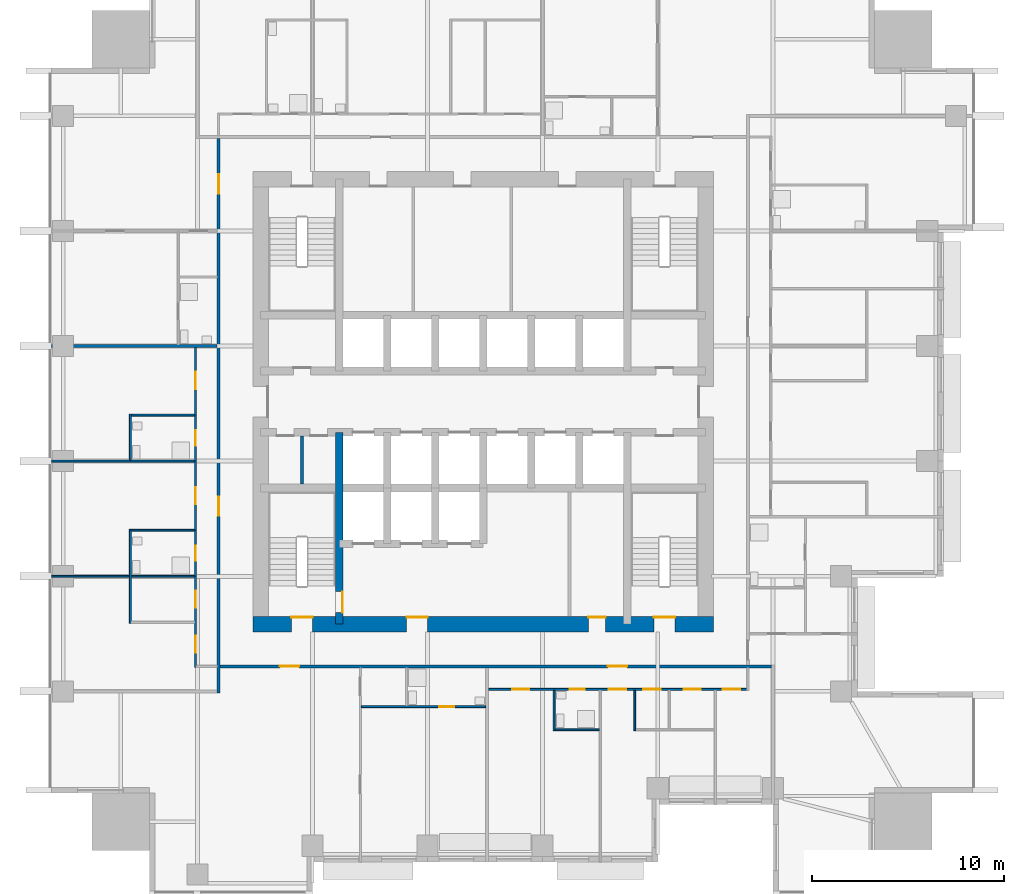
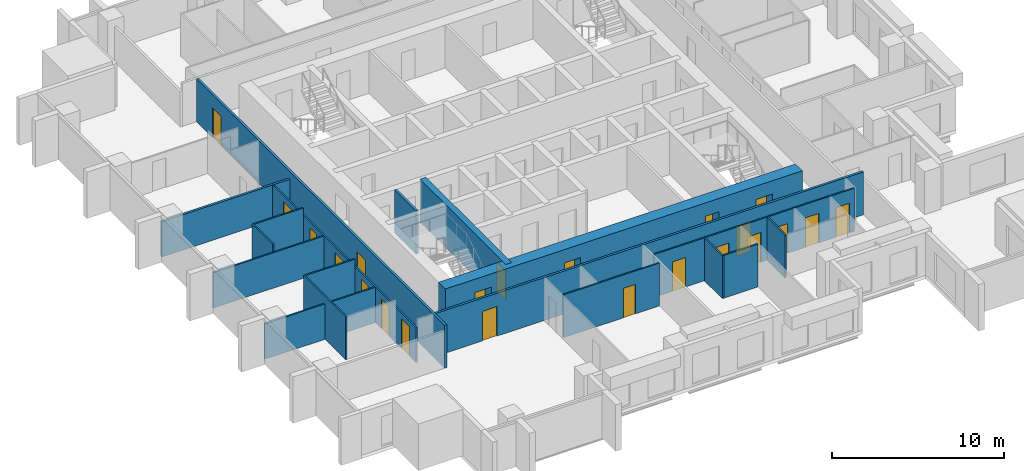
# One storey, part 4 of 10: 22 doors, 18 walls, 22 openings.
"""IFC4 building model written with IfcOpenShell, lengths in metres."""

from ifc_helpers import new_model, si_unit, direction, frame, frame_2d, origin, place, context, subcontext, project, spatial, rectangle, extrude, material, layer, layer_set, type_object, element, fill, save


model = new_model("IFC4")

# Units and contexts
model_context = context("Model", 3, precision=1e-05, world=origin(), true_north=direction((0.0, 1.0)))
body_context = subcontext(model_context, "Body", "Model", "MODEL_VIEW")
ifc_project = project(units=[si_unit("LENGTHUNIT", "METRE"), si_unit("AREAUNIT", "SQUARE_METRE"), si_unit("VOLUMEUNIT", "CUBIC_METRE"), si_unit("PLANEANGLEUNIT", "RADIAN"), si_unit("MASSUNIT", "GRAM", prefix="KILO")], contexts=[model_context])

# Site, building, storey
site_placement = place(None, origin())
site = spatial("IfcSite", under=ifc_project, at=site_placement, CompositionType="ELEMENT")
building_placement = place(site_placement, origin())
building = spatial("IfcBuilding", under=site, at=building_placement, Name="Amberfall Residences", CompositionType="ELEMENT")
storey_placement = place(building_placement, frame((0.0, 0.0, 85.300048828125)))
storey = spatial("IfcBuildingStorey", under=building, at=storey_placement, Name="L22", CompositionType="ELEMENT", Elevation=85.300048828125)

# Wall, opening, door
ifc_material_1 = material(Name="Concrete C70", Category="concrete")
ifc_layer_1 = layer(ifc_material_1, 0.39990234375)
ifc_layer_set_1 = layer_set([ifc_layer_1], Name="Core wall 400 C70")
wall_type_1 = type_object("IfcWallType", Name="Core wall 400 C70", PredefinedType="SHEAR", material=ifc_layer_set_1)
wall_1_placement = place(storey_placement, frame((67.0, 33.89990234375, 0.0), z_axis=(0.0, 0.0, 1.0), x_axis=(0.0, 1.0, 0.0)))
wall_1 = element("IfcWall", 1, at=wall_1_placement, inside=storey, type_object=wall_type_1, Name="Core wall RW4 L22 V45S", PredefinedType="SHEAR", context=body_context, shape_type="SweptSolid", body=[
    extrude(rectangle(XDim=10.0, YDim=0.39990234375, at=frame_2d((5.0, 0.0))), origin(), (0.0, 0.0, 1.0), 3.050048828125),
])
opening_1_placement = place(wall_1_placement, frame((0.60009765625, 0.0, 0.0)))
opening_1 = element("IfcOpeningElement", 2, at=opening_1_placement, cuts=wall_1, Name="Opening FL1", PredefinedType="OPENING", context=body_context, shape_type="SweptSolid", body=[
    extrude(rectangle(XDim=1.10009765625, YDim=2.10009765625, at=frame_2d((0.550048828125, 1.050048828125))), frame((0.0, 0.2099609375, 0.0), z_axis=(0.0, -1.0, 0.0), x_axis=(1.0, 0.0, 0.0)), (0.0, 0.0, 1.0), 0.419921875),
])
ifc_material_2 = material(Name="Steel fire door set", Category="steel")
door_type_1 = type_object("IfcDoorType", Name="Firefighting lobby door 1100 x 2100", OperationType="SINGLE_SWING_LEFT", PredefinedType="DOOR", material=ifc_material_2)
door_1_placement = place(opening_1_placement, origin())
door_1 = element("IfcDoor", 3, at=door_1_placement, inside=storey, type_object=door_type_1, Name="FL1 L22", OperationType="SINGLE_SWING_RIGHT", OverallHeight=2.10009765625, OverallWidth=1.10009765625, PredefinedType="DOOR", context=body_context, shape_type="SweptSolid", body=[
    extrude(rectangle(XDim=1.10009765625, YDim=2.10009765625, at=frame_2d((0.550048828125, 1.050048828125))), frame((0.0, -0.1376953125, 0.0), z_axis=(0.0, -1.0, 0.0), x_axis=(1.0, 0.0, 0.0)), (0.0, 0.0, 1.0), 0.050048828125),
])
fill(opening_1, door_1)

# Wall, openings, doors
ifc_layer_2 = layer(ifc_material_1, 0.800048828125)
ifc_layer_set_2 = layer_set([ifc_layer_2], Name="Core wall 800 C70")
wall_type_2 = type_object("IfcWallType", Name="Core wall 800 C70", PredefinedType="SHEAR", material=ifc_layer_set_2)
wall_2_placement = place(storey_placement, frame((62.5, 33.89990234375, 0.0), z_axis=(0.0, 0.0, 1.0), x_axis=(1.0, 0.0, 0.0)))
wall_2 = element("IfcWall", 4, at=wall_2_placement, inside=storey, type_object=wall_type_2, Name="Core wall RW3 L22 OS", PredefinedType="SHEAR", context=body_context, shape_type="SweptSolid", body=[
    extrude(rectangle(XDim=24.0, YDim=0.800048828125, at=frame_2d((12.0, 0.0))), origin(), (0.0, 0.0, 1.0), 3.050048828125),
])
opening_2_placement = place(wall_2_placement, frame((2.0, 0.0, 0.0)))
opening_2 = element("IfcOpeningElement", 5, at=opening_2_placement, cuts=wall_2, Name="Opening SD1", PredefinedType="OPENING", context=body_context, shape_type="SweptSolid", body=[
    extrude(rectangle(XDim=1.10009765625, YDim=2.10009765625, at=frame_2d((0.550048828125, 1.050048828125))), frame((0.0, 0.409912109375, 0.0), z_axis=(0.0, -1.0, 0.0), x_axis=(1.0, 0.0, 0.0)), (0.0, 0.0, 1.0), 0.820068359375),
])
opening_3_placement = place(wall_2_placement, frame((20.89990234375, 0.0, 0.0)))
opening_3 = element("IfcOpeningElement", 6, at=opening_3_placement, cuts=wall_2, Name="Opening SD1", PredefinedType="OPENING", context=body_context, shape_type="SweptSolid", body=[
    extrude(rectangle(XDim=1.10009765625, YDim=2.10009765625, at=frame_2d((0.550048828125, 1.050048828125))), frame((0.0, 0.409912109375, 0.0), z_axis=(0.0, -1.0, 0.0), x_axis=(1.0, 0.0, 0.0)), (0.0, 0.0, 1.0), 0.820068359375),
])
opening_4_placement = place(wall_2_placement, frame((8.0, 0.0, 0.0)))
opening_4 = element("IfcOpeningElement", 7, at=opening_4_placement, cuts=wall_2, Name="Opening FL1", PredefinedType="OPENING", context=body_context, shape_type="SweptSolid", body=[
    extrude(rectangle(XDim=1.10009765625, YDim=2.10009765625, at=frame_2d((0.550048828125, 1.050048828125))), frame((0.0, 0.409912109375, 0.0), z_axis=(0.0, -1.0, 0.0), x_axis=(1.0, 0.0, 0.0)), (0.0, 0.0, 1.0), 0.820068359375),
])
opening_5_placement = place(wall_2_placement, frame((17.487548828125, 0.0, 0.0)))
opening_5 = element("IfcOpeningElement", 8, at=opening_5_placement, cuts=wall_2, Name="Opening RD1", PredefinedType="OPENING", context=body_context, shape_type="SweptSolid", body=[
    extrude(rectangle(XDim=0.89990234375, YDim=2.10009765625, at=frame_2d((0.449951171875, 1.050048828125))), frame((0.0, 0.409912109375, 0.0), z_axis=(0.0, -1.0, 0.0), x_axis=(1.0, 0.0, 0.0)), (0.0, 0.0, 1.0), 0.820068359375),
])
door_2_placement = place(opening_4_placement, origin())
door_2 = element("IfcDoor", 9, at=door_2_placement, inside=storey, type_object=door_type_1, Name="FL1 L22", OperationType="SINGLE_SWING_LEFT", OverallHeight=2.10009765625, OverallWidth=1.10009765625, PredefinedType="DOOR", context=body_context, shape_type="SweptSolid", body=[
    extrude(rectangle(XDim=1.10009765625, YDim=2.10009765625, at=frame_2d((0.550048828125, 1.050048828125))), frame((0.0, 0.3876953125, 0.0), z_axis=(0.0, -1.0, 0.0), x_axis=(1.0, 0.0, 0.0)), (0.0, 0.0, 1.0), 0.050048828125),
])
fill(opening_4, door_2)
door_type_2 = type_object("IfcDoorType", Name="Service room door 900 x 2100", OperationType="SINGLE_SWING_LEFT", PredefinedType="DOOR", material=ifc_material_2)
door_3_placement = place(opening_5_placement, origin())
door_3 = element("IfcDoor", 10, at=door_3_placement, inside=storey, type_object=door_type_2, Name="RD1 L22", OperationType="SINGLE_SWING_LEFT", OverallHeight=2.10009765625, OverallWidth=0.89990234375, PredefinedType="DOOR", context=body_context, shape_type="SweptSolid", body=[
    extrude(rectangle(XDim=0.89990234375, YDim=2.10009765625, at=frame_2d((0.449951171875, 1.050048828125))), frame((0.0, 0.3876953125, 0.0), z_axis=(0.0, -1.0, 0.0), x_axis=(1.0, 0.0, 0.0)), (0.0, 0.0, 1.0), 0.050048828125),
])
fill(opening_5, door_3)
door_type_3 = type_object("IfcDoorType", Name="Stair door 1100 x 2100", OperationType="SINGLE_SWING_LEFT", PredefinedType="DOOR", material=ifc_material_2)
door_4_placement = place(opening_2_placement, origin())
door_4 = element("IfcDoor", 11, at=door_4_placement, inside=storey, type_object=door_type_3, Name="SD1 L22", OperationType="SINGLE_SWING_LEFT", OverallHeight=2.10009765625, OverallWidth=1.10009765625, PredefinedType="DOOR", context=body_context, shape_type="SweptSolid", body=[
    extrude(rectangle(XDim=1.10009765625, YDim=2.10009765625, at=frame_2d((0.550048828125, 1.050048828125))), frame((0.0, 0.3876953125, 0.0), z_axis=(0.0, -1.0, 0.0), x_axis=(1.0, 0.0, 0.0)), (0.0, 0.0, 1.0), 0.050048828125),
])
fill(opening_2, door_4)
door_5_placement = place(opening_3_placement, origin())
door_5 = element("IfcDoor", 12, at=door_5_placement, inside=storey, type_object=door_type_3, Name="SD1 L22", OperationType="SINGLE_SWING_RIGHT", OverallHeight=2.10009765625, OverallWidth=1.10009765625, PredefinedType="DOOR", context=body_context, shape_type="SweptSolid", body=[
    extrude(rectangle(XDim=1.10009765625, YDim=2.10009765625, at=frame_2d((0.550048828125, 1.050048828125))), frame((0.0, 0.3876953125, 0.0), z_axis=(0.0, -1.0, 0.0), x_axis=(1.0, 0.0, 0.0)), (0.0, 0.0, 1.0), 0.050048828125),
])
fill(opening_3, door_5)

# Walls
ifc_material_3 = material(Name="Gypsum board on metal stud")
ifc_layer_3 = layer(ifc_material_3, 0.10009765625)
ifc_layer_set_3 = layer_set([ifc_layer_3], Name="Flat partition 100")
wall_type_3 = type_object("IfcWallType", Name="Flat partition 100", PredefinedType="PARTITIONING", material=ifc_layer_set_3)
wall_3_placement = place(storey_placement, frame((56.10009765625, 33.949951171875, 0.0), z_axis=(0.0, 0.0, 1.0), x_axis=(0.0, 1.0, 0.0)))
element("IfcWall", 13, at=wall_3_placement, inside=storey, type_object=wall_type_3, Name="Partition 001", PredefinedType="PARTITIONING", context=body_context, shape_type="SweptSolid", body=[
    extrude(rectangle(XDim=4.900146484375, YDim=0.10009765625, at=frame_2d((2.4501953125, 0.0))), origin(), (0.0, 0.0, 1.0), 3.050048828125),
])
wall_4_placement = place(storey_placement, frame((56.10009765625, 42.449951171875, 0.0), z_axis=(0.0, 0.0, 1.0), x_axis=(0.0, 1.0, 0.0)))
element("IfcWall", 14, at=wall_4_placement, inside=storey, type_object=wall_type_3, Name="Partition 002", PredefinedType="PARTITIONING", context=body_context, shape_type="SweptSolid", body=[
    extrude(rectangle(XDim=2.400146484375, YDim=0.10009765625, at=frame_2d((1.2001953125, 0.0))), origin(), (0.0, 0.0, 1.0), 3.050048828125),
])

# Wall, openings, doors
wall_5_placement = place(storey_placement, frame((59.5, 31.64990234375, 0.0), z_axis=(0.0, 0.0, 1.0), x_axis=(0.0, 1.0, 0.0)))
wall_5 = element("IfcWall", 15, at=wall_5_placement, inside=storey, type_object=wall_type_3, Name="Partition 004", PredefinedType="PARTITIONING", context=body_context, shape_type="SweptSolid", body=[
    extrude(rectangle(XDim=16.675048828125, YDim=0.10009765625, at=frame_2d((8.33740234375, 0.0))), origin(), (0.0, 0.0, 1.0), 2.510009765625),
])
opening_6_placement = place(wall_5_placement, frame((0.75, 0.0, 0.0)))
opening_6 = element("IfcOpeningElement", 16, at=opening_6_placement, cuts=wall_5, Name="Opening D41", PredefinedType="OPENING", context=body_context, shape_type="SweptSolid", body=[
    extrude(rectangle(XDim=0.89990234375, YDim=2.10009765625, at=frame_2d((0.449951171875, 1.050048828125))), frame((0.0, 0.06005859375, 0.0), z_axis=(0.0, -1.0, 0.0), x_axis=(1.0, 0.0, 0.0)), (0.0, 0.0, 1.0), 0.1201171875),
])
opening_7_placement = place(wall_5_placement, frame((3.10009765625, 0.0, 0.0)))
opening_7 = element("IfcOpeningElement", 17, at=opening_7_placement, cuts=wall_5, Name="Opening D41", PredefinedType="OPENING", context=body_context, shape_type="SweptSolid", body=[
    extrude(rectangle(XDim=0.89990234375, YDim=2.10009765625, at=frame_2d((0.449951171875, 1.050048828125))), frame((0.0, 0.06005859375, 0.0), z_axis=(0.0, -1.0, 0.0), x_axis=(1.0, 0.0, 0.0)), (0.0, 0.0, 1.0), 0.1201171875),
])
opening_8_placement = place(wall_5_placement, frame((8.5, 0.0, 0.0)))
opening_8 = element("IfcOpeningElement", 18, at=opening_8_placement, cuts=wall_5, Name="Opening D41", PredefinedType="OPENING", context=body_context, shape_type="SweptSolid", body=[
    extrude(rectangle(XDim=0.89990234375, YDim=2.10009765625, at=frame_2d((0.449951171875, 1.050048828125))), frame((0.0, 0.06005859375, 0.0), z_axis=(0.0, -1.0, 0.0), x_axis=(1.0, 0.0, 0.0)), (0.0, 0.0, 1.0), 0.1201171875),
])
opening_9_placement = place(wall_5_placement, frame((14.5, 0.0, 0.0)))
opening_9 = element("IfcOpeningElement", 19, at=opening_9_placement, cuts=wall_5, Name="Opening D41", PredefinedType="OPENING", context=body_context, shape_type="SweptSolid", body=[
    extrude(rectangle(XDim=0.89990234375, YDim=2.10009765625, at=frame_2d((0.449951171875, 1.050048828125))), frame((0.0, 0.06005859375, 0.0), z_axis=(0.0, -1.0, 0.0), x_axis=(1.0, 0.0, 0.0)), (0.0, 0.0, 1.0), 0.1201171875),
])
opening_10_placement = place(wall_5_placement, frame((5.550048828125, 0.0, 0.0)))
opening_10 = element("IfcOpeningElement", 20, at=opening_10_placement, cuts=wall_5, Name="Opening D42", PredefinedType="OPENING", context=body_context, shape_type="SweptSolid", body=[
    extrude(rectangle(XDim=0.800048828125, YDim=2.10009765625, at=frame_2d((0.39990234375, 1.050048828125))), frame((0.0, 0.06005859375, 0.0), z_axis=(0.0, -1.0, 0.0), x_axis=(1.0, 0.0, 0.0)), (0.0, 0.0, 1.0), 0.1201171875),
])
opening_11_placement = place(wall_5_placement, frame((11.550048828125, 0.0, 0.0)))
opening_11 = element("IfcOpeningElement", 21, at=opening_11_placement, cuts=wall_5, Name="Opening D42", PredefinedType="OPENING", context=body_context, shape_type="SweptSolid", body=[
    extrude(rectangle(XDim=0.800048828125, YDim=2.10009765625, at=frame_2d((0.39990234375, 1.050048828125))), frame((0.0, 0.06005859375, 0.0), z_axis=(0.0, -1.0, 0.0), x_axis=(1.0, 0.0, 0.0)), (0.0, 0.0, 1.0), 0.1201171875),
])
ifc_material_4 = material(Name="Timber", Category="wood")
door_type_4 = type_object("IfcDoorType", Name="Bathroom door 800 x 2100", OperationType="SINGLE_SWING_LEFT", PredefinedType="DOOR", material=ifc_material_4)
door_6_placement = place(opening_10_placement, origin())
door_6 = element("IfcDoor", 22, at=door_6_placement, inside=storey, type_object=door_type_4, Name="Door 2207 bath1", OperationType="SINGLE_SWING_LEFT", OverallHeight=2.10009765625, OverallWidth=0.800048828125, PredefinedType="DOOR", context=body_context, shape_type="SweptSolid", body=[
    extrude(rectangle(XDim=0.800048828125, YDim=2.10009765625, at=frame_2d((0.39990234375, 1.050048828125))), frame((0.0, 0.02490234375, 0.0), z_axis=(0.0, -1.0, 0.0), x_axis=(1.0, 0.0, 0.0)), (0.0, 0.0, 1.0), 0.050048828125),
])
fill(opening_10, door_6)
door_7_placement = place(opening_11_placement, origin())
door_7 = element("IfcDoor", 23, at=door_7_placement, inside=storey, type_object=door_type_4, Name="Door 2207 bath2", OperationType="SINGLE_SWING_LEFT", OverallHeight=2.10009765625, OverallWidth=0.800048828125, PredefinedType="DOOR", context=body_context, shape_type="SweptSolid", body=[
    extrude(rectangle(XDim=0.800048828125, YDim=2.10009765625, at=frame_2d((0.39990234375, 1.050048828125))), frame((0.0, 0.02490234375, 0.0), z_axis=(0.0, -1.0, 0.0), x_axis=(1.0, 0.0, 0.0)), (0.0, 0.0, 1.0), 0.050048828125),
])
fill(opening_11, door_7)
door_type_5 = type_object("IfcDoorType", Name="Internal door 900 x 2100", OperationType="SINGLE_SWING_LEFT", PredefinedType="DOOR", material=ifc_material_4)
door_8_placement = place(opening_6_placement, origin())
door_8 = element("IfcDoor", 24, at=door_8_placement, inside=storey, type_object=door_type_5, Name="Door 2207 living", OperationType="SINGLE_SWING_LEFT", OverallHeight=2.10009765625, OverallWidth=0.89990234375, PredefinedType="DOOR", context=body_context, shape_type="SweptSolid", body=[
    extrude(rectangle(XDim=0.89990234375, YDim=2.10009765625, at=frame_2d((0.449951171875, 1.050048828125))), frame((0.0, 0.02490234375, 0.0), z_axis=(0.0, -1.0, 0.0), x_axis=(1.0, 0.0, 0.0)), (0.0, 0.0, 1.0), 0.050048828125),
])
fill(opening_6, door_8)
door_9_placement = place(opening_7_placement, origin())
door_9 = element("IfcDoor", 25, at=door_9_placement, inside=storey, type_object=door_type_5, Name="Door 2207 kitchen", OperationType="SINGLE_SWING_LEFT", OverallHeight=2.10009765625, OverallWidth=0.89990234375, PredefinedType="DOOR", context=body_context, shape_type="SweptSolid", body=[
    extrude(rectangle(XDim=0.89990234375, YDim=2.10009765625, at=frame_2d((0.449951171875, 1.050048828125))), frame((0.0, 0.02490234375, 0.0), z_axis=(0.0, -1.0, 0.0), x_axis=(1.0, 0.0, 0.0)), (0.0, 0.0, 1.0), 0.050048828125),
])
fill(opening_7, door_9)
door_10_placement = place(opening_8_placement, origin())
door_10 = element("IfcDoor", 26, at=door_10_placement, inside=storey, type_object=door_type_5, Name="Door 2207 bedroom1", OperationType="SINGLE_SWING_LEFT", OverallHeight=2.10009765625, OverallWidth=0.89990234375, PredefinedType="DOOR", context=body_context, shape_type="SweptSolid", body=[
    extrude(rectangle(XDim=0.89990234375, YDim=2.10009765625, at=frame_2d((0.449951171875, 1.050048828125))), frame((0.0, 0.02490234375, 0.0), z_axis=(0.0, -1.0, 0.0), x_axis=(1.0, 0.0, 0.0)), (0.0, 0.0, 1.0), 0.050048828125),
])
fill(opening_8, door_10)
door_11_placement = place(opening_9_placement, origin())
door_11 = element("IfcDoor", 27, at=door_11_placement, inside=storey, type_object=door_type_5, Name="Door 2207 bedroom2", OperationType="SINGLE_SWING_LEFT", OverallHeight=2.10009765625, OverallWidth=0.89990234375, PredefinedType="DOOR", context=body_context, shape_type="SweptSolid", body=[
    extrude(rectangle(XDim=0.89990234375, YDim=2.10009765625, at=frame_2d((0.449951171875, 1.050048828125))), frame((0.0, 0.02490234375, 0.0), z_axis=(0.0, -1.0, 0.0), x_axis=(1.0, 0.0, 0.0)), (0.0, 0.0, 1.0), 0.050048828125),
])
fill(opening_9, door_11)

# Walls
for number, where, z_axis, x_axis, name in (
    (28, (78.199951171875, 28.35009765625, 0.0), (0.0, 0.0, 1.0), (0.0, 1.0, 0.0), "Partition 013"),
    (29, (82.39990234375, 28.35009765625, 0.0), (0.0, 0.0, 1.0), (0.0, 1.0, 0.0), "Partition 016"),
):
    element("IfcWall", number, at=place(storey_placement, frame(where, z_axis=z_axis, x_axis=x_axis)), inside=storey, type_object=wall_type_3, Name=name, PredefinedType="PARTITIONING", context=body_context, shape_type="SweptSolid", body=[
        extrude(rectangle(XDim=2.099853515625, YDim=0.10009765625, at=frame_2d((1.0498046875, 0.0))), origin(), (0.0, 0.0, 1.0), 3.050048828125),
    ])
wall_6_placement = place(storey_placement, frame((56.14990234375, 44.800048828125, 0.0), z_axis=(0.0, 0.0, 1.0), x_axis=(1.0, 0.0, 0.0)))
element("IfcWall", 30, at=wall_6_placement, inside=storey, type_object=wall_type_3, Name="Partition 038", PredefinedType="PARTITIONING", context=body_context, shape_type="SweptSolid", body=[
    extrude(rectangle(XDim=3.300048828125, YDim=0.10009765625, at=frame_2d((1.64990234375, 0.0))), origin(), (0.0, 0.0, 1.0), 3.050048828125),
])
wall_7_placement = place(storey_placement, frame((52.0, 42.39990234375, 0.0), z_axis=(0.0, 0.0, 1.0), x_axis=(1.0, 0.0, 0.0)))
element("IfcWall", 31, at=wall_7_placement, inside=storey, type_object=wall_type_3, Name="Partition 039", PredefinedType="PARTITIONING", context=body_context, shape_type="SweptSolid", body=[
    extrude(rectangle(XDim=7.449951171875, YDim=0.10009765625, at=frame_2d((3.72509765625, 0.0))), origin(), (0.0, 0.0, 1.0), 2.515869140625),
])
wall_8_placement = place(storey_placement, frame((56.14990234375, 38.800048828125, 0.0), z_axis=(0.0, 0.0, 1.0), x_axis=(1.0, 0.0, 0.0)))
element("IfcWall", 32, at=wall_8_placement, inside=storey, type_object=wall_type_3, Name="Partition 041", PredefinedType="PARTITIONING", context=body_context, shape_type="SweptSolid", body=[
    extrude(rectangle(XDim=3.300048828125, YDim=0.10009765625, at=frame_2d((1.64990234375, 0.0))), origin(), (0.0, 0.0, 1.0), 3.050048828125),
])
wall_9_placement = place(storey_placement, frame((52.0, 36.39990234375, 0.0), z_axis=(0.0, 0.0, 1.0), x_axis=(1.0, 0.0, 0.0)))
element("IfcWall", 33, at=wall_9_placement, inside=storey, type_object=wall_type_3, Name="Partition 042", PredefinedType="PARTITIONING", context=body_context, shape_type="SweptSolid", body=[
    extrude(rectangle(XDim=7.449951171875, YDim=0.10009765625, at=frame_2d((3.72509765625, 0.0))), origin(), (0.0, 0.0, 1.0), 2.515869140625),
])

# Wall, openings, doors
wall_10_placement = place(storey_placement, frame((88.25, 30.5, 0.0), z_axis=(0.0, 0.0, 1.0), x_axis=(-1.0, 0.0, 0.0)))
wall_10 = element("IfcWall", 34, at=wall_10_placement, inside=storey, type_object=wall_type_3, Name="Partition 047", PredefinedType="PARTITIONING", context=body_context, shape_type="SweptSolid", body=[
    extrude(rectangle(XDim=13.47509765625, YDim=0.10009765625, at=frame_2d((6.737548828125, 0.0))), origin(), (0.0, 0.0, 1.0), 3.050048828125),
])
opening_12_placement = place(wall_10_placement, frame((6.300048828125, 0.0, 0.0)))
opening_12 = element("IfcOpeningElement", 35, at=opening_12_placement, cuts=wall_10, Name="Opening D41", PredefinedType="OPENING", context=body_context, shape_type="SweptSolid", body=[
    extrude(rectangle(XDim=0.89990234375, YDim=2.10009765625, at=frame_2d((0.449951171875, 1.050048828125))), frame((0.0, 0.06005859375, 0.0), z_axis=(0.0, -1.0, 0.0), x_axis=(1.0, 0.0, 0.0)), (0.0, 0.0, 1.0), 0.1201171875),
])
opening_13_placement = place(wall_10_placement, frame((2.39990234375, 0.0, 0.0)))
opening_13 = element("IfcOpeningElement", 36, at=opening_13_placement, cuts=wall_10, Name="Opening D41", PredefinedType="OPENING", context=body_context, shape_type="SweptSolid", body=[
    extrude(rectangle(XDim=0.89990234375, YDim=2.10009765625, at=frame_2d((0.449951171875, 1.050048828125))), frame((0.0, 0.06005859375, 0.0), z_axis=(0.0, -1.0, 0.0), x_axis=(1.0, 0.0, 0.0)), (0.0, 0.0, 1.0), 0.1201171875),
])
opening_14_placement = place(wall_10_placement, frame((4.5, 0.0, 0.0)))
opening_14 = element("IfcOpeningElement", 37, at=opening_14_placement, cuts=wall_10, Name="Opening D41", PredefinedType="OPENING", context=body_context, shape_type="SweptSolid", body=[
    extrude(rectangle(XDim=0.89990234375, YDim=2.10009765625, at=frame_2d((0.449951171875, 1.050048828125))), frame((0.0, 0.06005859375, 0.0), z_axis=(0.0, -1.0, 0.0), x_axis=(1.0, 0.0, 0.0)), (0.0, 0.0, 1.0), 0.1201171875),
])
opening_15_placement = place(wall_10_placement, frame((11.35009765625, 0.0, 0.0)))
opening_15 = element("IfcOpeningElement", 38, at=opening_15_placement, cuts=wall_10, Name="Opening D41", PredefinedType="OPENING", context=body_context, shape_type="SweptSolid", body=[
    extrude(rectangle(XDim=0.89990234375, YDim=2.10009765625, at=frame_2d((0.449951171875, 1.050048828125))), frame((0.0, 0.06005859375, 0.0), z_axis=(0.0, -1.0, 0.0), x_axis=(1.0, 0.0, 0.0)), (0.0, 0.0, 1.0), 0.1201171875),
])
opening_16_placement = place(wall_10_placement, frame((0.35009765625, 0.0, 0.0)))
opening_16 = element("IfcOpeningElement", 39, at=opening_16_placement, cuts=wall_10, Name="Opening D41", PredefinedType="OPENING", context=body_context, shape_type="SweptSolid", body=[
    extrude(rectangle(XDim=0.89990234375, YDim=2.10009765625, at=frame_2d((0.449951171875, 1.050048828125))), frame((0.0, 0.06005859375, 0.0), z_axis=(0.0, -1.0, 0.0), x_axis=(1.0, 0.0, 0.0)), (0.0, 0.0, 1.0), 0.1201171875),
])
opening_17_placement = place(wall_10_placement, frame((8.449951171875, 0.0, 0.0)))
opening_17 = element("IfcOpeningElement", 40, at=opening_17_placement, cuts=wall_10, Name="Opening D42", PredefinedType="OPENING", context=body_context, shape_type="SweptSolid", body=[
    extrude(rectangle(XDim=0.800048828125, YDim=2.10009765625, at=frame_2d((0.39990234375, 1.050048828125))), frame((0.0, 0.06005859375, 0.0), z_axis=(0.0, -1.0, 0.0), x_axis=(1.0, 0.0, 0.0)), (0.0, 0.0, 1.0), 0.1201171875),
])
door_12_placement = place(opening_17_placement, origin())
door_12 = element("IfcDoor", 41, at=door_12_placement, inside=storey, type_object=door_type_4, Name="Door 2202 bath1", OperationType="SINGLE_SWING_LEFT", OverallHeight=2.10009765625, OverallWidth=0.800048828125, PredefinedType="DOOR", context=body_context, shape_type="SweptSolid", body=[
    extrude(rectangle(XDim=0.800048828125, YDim=2.10009765625, at=frame_2d((0.39990234375, 1.050048828125))), frame((0.0, 0.02490234375, 0.0), z_axis=(0.0, -1.0, 0.0), x_axis=(1.0, 0.0, 0.0)), (0.0, 0.0, 1.0), 0.050048828125),
])
fill(opening_17, door_12)
door_13_placement = place(opening_12_placement, origin())
door_13 = element("IfcDoor", 42, at=door_13_placement, inside=storey, type_object=door_type_5, Name="Door 2202 living", OperationType="SINGLE_SWING_LEFT", OverallHeight=2.10009765625, OverallWidth=0.89990234375, PredefinedType="DOOR", context=body_context, shape_type="SweptSolid", body=[
    extrude(rectangle(XDim=0.89990234375, YDim=2.10009765625, at=frame_2d((0.449951171875, 1.050048828125))), frame((0.0, 0.02490234375, 0.0), z_axis=(0.0, -1.0, 0.0), x_axis=(1.0, 0.0, 0.0)), (0.0, 0.0, 1.0), 0.050048828125),
])
fill(opening_12, door_13)
door_14_placement = place(opening_13_placement, origin())
door_14 = element("IfcDoor", 43, at=door_14_placement, inside=storey, type_object=door_type_5, Name="Door 2202 kitchen", OperationType="SINGLE_SWING_LEFT", OverallHeight=2.10009765625, OverallWidth=0.89990234375, PredefinedType="DOOR", context=body_context, shape_type="SweptSolid", body=[
    extrude(rectangle(XDim=0.89990234375, YDim=2.10009765625, at=frame_2d((0.449951171875, 1.050048828125))), frame((0.0, 0.02490234375, 0.0), z_axis=(0.0, -1.0, 0.0), x_axis=(1.0, 0.0, 0.0)), (0.0, 0.0, 1.0), 0.050048828125),
])
fill(opening_13, door_14)
door_15_placement = place(opening_14_placement, origin())
door_15 = element("IfcDoor", 44, at=door_15_placement, inside=storey, type_object=door_type_5, Name="Door 2202 utility", OperationType="SINGLE_SWING_LEFT", OverallHeight=2.10009765625, OverallWidth=0.89990234375, PredefinedType="DOOR", context=body_context, shape_type="SweptSolid", body=[
    extrude(rectangle(XDim=0.89990234375, YDim=2.10009765625, at=frame_2d((0.449951171875, 1.050048828125))), frame((0.0, 0.02490234375, 0.0), z_axis=(0.0, -1.0, 0.0), x_axis=(1.0, 0.0, 0.0)), (0.0, 0.0, 1.0), 0.050048828125),
])
fill(opening_14, door_15)
door_16_placement = place(opening_15_placement, origin())
door_16 = element("IfcDoor", 45, at=door_16_placement, inside=storey, type_object=door_type_5, Name="Door 2202 bedroom1", OperationType="SINGLE_SWING_LEFT", OverallHeight=2.10009765625, OverallWidth=0.89990234375, PredefinedType="DOOR", context=body_context, shape_type="SweptSolid", body=[
    extrude(rectangle(XDim=0.89990234375, YDim=2.10009765625, at=frame_2d((0.449951171875, 1.050048828125))), frame((0.0, 0.02490234375, 0.0), z_axis=(0.0, -1.0, 0.0), x_axis=(1.0, 0.0, 0.0)), (0.0, 0.0, 1.0), 0.050048828125),
])
fill(opening_15, door_16)
door_17_placement = place(opening_16_placement, origin())
door_17 = element("IfcDoor", 46, at=door_17_placement, inside=storey, type_object=door_type_5, Name="Door 2202 bedroom2", OperationType="SINGLE_SWING_LEFT", OverallHeight=2.10009765625, OverallWidth=0.89990234375, PredefinedType="DOOR", context=body_context, shape_type="SweptSolid", body=[
    extrude(rectangle(XDim=0.89990234375, YDim=2.10009765625, at=frame_2d((0.449951171875, 1.050048828125))), frame((0.0, 0.02490234375, 0.0), z_axis=(0.0, -1.0, 0.0), x_axis=(1.0, 0.0, 0.0)), (0.0, 0.0, 1.0), 0.050048828125),
])
fill(opening_16, door_17)

# Wall, opening, door
wall_11_placement = place(storey_placement, frame((68.14990234375, 29.60009765625, 0.0), z_axis=(0.0, 0.0, 1.0), x_axis=(1.0, 0.0, 0.0)))
wall_11 = element("IfcWall", 47, at=wall_11_placement, inside=storey, type_object=wall_type_3, Name="Partition 048", PredefinedType="PARTITIONING", context=body_context, shape_type="SweptSolid", body=[
    extrude(rectangle(XDim=6.47509765625, YDim=0.10009765625, at=frame_2d((3.237548828125, 0.0))), origin(), (0.0, 0.0, 1.0), 3.050048828125),
])
opening_18_placement = place(wall_11_placement, frame((4.050048828125, 0.0, 0.0)))
opening_18 = element("IfcOpeningElement", 48, at=opening_18_placement, cuts=wall_11, Name="Opening D42", PredefinedType="OPENING", context=body_context, shape_type="SweptSolid", body=[
    extrude(rectangle(XDim=0.800048828125, YDim=2.10009765625, at=frame_2d((0.39990234375, 1.050048828125))), frame((0.0, 0.06005859375, 0.0), z_axis=(0.0, -1.0, 0.0), x_axis=(1.0, 0.0, 0.0)), (0.0, 0.0, 1.0), 0.1201171875),
])
door_18_placement = place(opening_18_placement, origin())
door_18 = element("IfcDoor", 49, at=door_18_placement, inside=storey, type_object=door_type_4, Name="Door 2201 bath1", OperationType="SINGLE_SWING_LEFT", OverallHeight=2.10009765625, OverallWidth=0.800048828125, PredefinedType="DOOR", context=body_context, shape_type="SweptSolid", body=[
    extrude(rectangle(XDim=0.800048828125, YDim=2.10009765625, at=frame_2d((0.39990234375, 1.050048828125))), frame((0.0, 0.02490234375, 0.0), z_axis=(0.0, -1.0, 0.0), x_axis=(1.0, 0.0, 0.0)), (0.0, 0.0, 1.0), 0.050048828125),
])
fill(opening_18, door_18)

# Wall
wall_12_placement = place(storey_placement, frame((78.25, 28.39990234375, 0.0), z_axis=(0.0, 0.0, 1.0), x_axis=(1.0, 0.0, 0.0)))
element("IfcWall", 50, at=wall_12_placement, inside=storey, type_object=wall_type_3, Name="Partition 049", PredefinedType="PARTITIONING", context=body_context, shape_type="SweptSolid", body=[
    extrude(rectangle(XDim=2.300048828125, YDim=0.10009765625, at=frame_2d((1.14990234375, 0.0))), origin(), (0.0, 0.0, 1.0), 3.050048828125),
])

# Wall, openings, doors
ifc_material_5 = material(Name="Blockwork, plastered", Category="masonry")
ifc_layer_4 = layer(ifc_material_5, 0.14990234375)
ifc_layer_set_4 = layer_set([ifc_layer_4], Name="Flat separating wall 150")
wall_type_4 = type_object("IfcWallType", Name="Flat separating wall 150", PredefinedType="PARTITIONING", material=ifc_layer_set_4)
wall_13_placement = place(storey_placement, frame((60.699951171875, 30.324951171875, 0.0), z_axis=(0.0, 0.0, 1.0), x_axis=(0.0, 1.0, 0.0)))
wall_13 = element("IfcWall", 51, at=wall_13_placement, inside=storey, type_object=wall_type_4, Name="Separating wall 052", PredefinedType="PARTITIONING", context=body_context, shape_type="SweptSolid", body=[
    extrude(rectangle(XDim=28.900146484375, YDim=0.14990234375, at=frame_2d((14.4501953125, 0.0))), origin(), (0.0, 0.0, 1.0), 3.050048828125),
])
opening_19_placement = place(wall_13_placement, frame((9.22509765625, 0.0, 0.0)))
opening_19 = element("IfcOpeningElement", 52, at=opening_19_placement, cuts=wall_13, Name="Opening D40", PredefinedType="OPENING", context=body_context, shape_type="SweptSolid", body=[
    extrude(rectangle(XDim=1.0, YDim=2.10009765625, at=frame_2d((0.5, 1.050048828125))), frame((0.0, 0.0849609375, 0.0), z_axis=(0.0, -1.0, 0.0), x_axis=(1.0, 0.0, 0.0)), (0.0, 0.0, 1.0), 0.169921875),
])
opening_20_placement = place(wall_13_placement, frame((26.02490234375, 0.0, 0.0)))
opening_20 = element("IfcOpeningElement", 53, at=opening_20_placement, cuts=wall_13, Name="Opening D40", PredefinedType="OPENING", context=body_context, shape_type="SweptSolid", body=[
    extrude(rectangle(XDim=1.0, YDim=2.10009765625, at=frame_2d((0.5, 1.050048828125))), frame((0.0, 0.0849609375, 0.0), z_axis=(0.0, -1.0, 0.0), x_axis=(1.0, 0.0, 0.0)), (0.0, 0.0, 1.0), 0.169921875),
])
ifc_material_6 = material(Name="Timber, fire-rated", Category="wood")
door_type_6 = type_object("IfcDoorType", Name="Flat entrance door FD60 1000 x 2100", OperationType="SINGLE_SWING_LEFT", PredefinedType="DOOR", material=ifc_material_6)
door_19_placement = place(opening_19_placement, origin())
door_19 = element("IfcDoor", 54, at=door_19_placement, inside=storey, type_object=door_type_6, Name="Door 2207 entrance", OperationType="SINGLE_SWING_LEFT", OverallHeight=2.10009765625, OverallWidth=1.0, PredefinedType="DOOR", context=body_context, shape_type="SweptSolid", body=[
    extrude(rectangle(XDim=1.0, YDim=2.10009765625, at=frame_2d((0.5, 1.050048828125))), frame((0.0, 0.02490234375, 0.0), z_axis=(0.0, -1.0, 0.0), x_axis=(1.0, 0.0, 0.0)), (0.0, 0.0, 1.0), 0.050048828125),
])
fill(opening_19, door_19)
door_20_placement = place(opening_20_placement, origin())
door_20 = element("IfcDoor", 55, at=door_20_placement, inside=storey, type_object=door_type_6, Name="Door 2208 entrance", OperationType="SINGLE_SWING_LEFT", OverallHeight=2.10009765625, OverallWidth=1.0, PredefinedType="DOOR", context=body_context, shape_type="SweptSolid", body=[
    extrude(rectangle(XDim=1.0, YDim=2.10009765625, at=frame_2d((0.5, 1.050048828125))), frame((0.0, 0.02490234375, 0.0), z_axis=(0.0, -1.0, 0.0), x_axis=(1.0, 0.0, 0.0)), (0.0, 0.0, 1.0), 0.050048828125),
])
fill(opening_20, door_20)

# Wall
wall_14_placement = place(storey_placement, frame((52.0, 48.39990234375, 0.0), z_axis=(0.0, 0.0, 1.0), x_axis=(1.0, 0.0, 0.0)))
element("IfcWall", 56, at=wall_14_placement, inside=storey, type_object=wall_type_4, Name="Separating wall 059", PredefinedType="PARTITIONING", context=body_context, shape_type="SweptSolid", body=[
    extrude(rectangle(XDim=8.625, YDim=0.14990234375, at=frame_2d((4.3125, 0.0))), origin(), (0.0, 0.0, 1.0), 2.515869140625),
])

# Wall, openings, doors
wall_15_placement = place(storey_placement, frame((89.52490234375, 31.699951171875, 0.0), z_axis=(0.0, 0.0, 1.0), x_axis=(-1.0, 0.0, 0.0)))
wall_15 = element("IfcWall", 57, at=wall_15_placement, inside=storey, type_object=wall_type_4, Name="Separating wall 061", PredefinedType="PARTITIONING", context=body_context, shape_type="SweptSolid", body=[
    extrude(rectangle(XDim=28.75, YDim=0.14990234375, at=frame_2d((14.375, 0.0))), origin(), (0.0, 0.0, 1.0), 3.050048828125),
])
opening_21_placement = place(wall_15_placement, frame((24.625, 0.0, 0.0)))
opening_21 = element("IfcOpeningElement", 58, at=opening_21_placement, cuts=wall_15, Name="Opening D40", PredefinedType="OPENING", context=body_context, shape_type="SweptSolid", body=[
    extrude(rectangle(XDim=1.0, YDim=2.10009765625, at=frame_2d((0.5, 1.050048828125))), frame((0.0, 0.0849609375, 0.0), z_axis=(0.0, -1.0, 0.0), x_axis=(1.0, 0.0, 0.0)), (0.0, 0.0, 1.0), 0.169921875),
])
opening_22_placement = place(wall_15_placement, frame((7.52490234375, 0.0, 0.0)))
opening_22 = element("IfcOpeningElement", 59, at=opening_22_placement, cuts=wall_15, Name="Opening D40", PredefinedType="OPENING", context=body_context, shape_type="SweptSolid", body=[
    extrude(rectangle(XDim=1.0, YDim=2.10009765625, at=frame_2d((0.5, 1.050048828125))), frame((0.0, 0.0849609375, 0.0), z_axis=(0.0, -1.0, 0.0), x_axis=(1.0, 0.0, 0.0)), (0.0, 0.0, 1.0), 0.169921875),
])
door_21_placement = place(opening_21_placement, origin())
door_21 = element("IfcDoor", 60, at=door_21_placement, inside=storey, type_object=door_type_6, Name="Door 2201 entrance", OperationType="SINGLE_SWING_LEFT", OverallHeight=2.10009765625, OverallWidth=1.0, PredefinedType="DOOR", context=body_context, shape_type="SweptSolid", body=[
    extrude(rectangle(XDim=1.0, YDim=2.10009765625, at=frame_2d((0.5, 1.050048828125))), frame((0.0, 0.02490234375, 0.0), z_axis=(0.0, -1.0, 0.0), x_axis=(1.0, 0.0, 0.0)), (0.0, 0.0, 1.0), 0.050048828125),
])
fill(opening_21, door_21)
door_22_placement = place(opening_22_placement, origin())
door_22 = element("IfcDoor", 61, at=door_22_placement, inside=storey, type_object=door_type_6, Name="Door 2202 entrance", OperationType="SINGLE_SWING_LEFT", OverallHeight=2.10009765625, OverallWidth=1.0, PredefinedType="DOOR", context=body_context, shape_type="SweptSolid", body=[
    extrude(rectangle(XDim=1.0, YDim=2.10009765625, at=frame_2d((0.5, 1.050048828125))), frame((0.0, 0.02490234375, 0.0), z_axis=(0.0, -1.0, 0.0), x_axis=(1.0, 0.0, 0.0)), (0.0, 0.0, 1.0), 0.050048828125),
])
fill(opening_22, door_22)

# Wall
ifc_material_7 = material(Name="Concrete blockwork", Category="masonry")
ifc_layer_5 = layer(ifc_material_7, 0.14990234375)
ifc_layer_set_5 = layer_set([ifc_layer_5], Name="Riser wall 150")
wall_type_5 = type_object("IfcWallType", Name="Riser wall 150", PredefinedType="PLUMBINGWALL", material=ifc_layer_set_5)
wall_16_placement = place(storey_placement, frame((65.050048828125, 41.199951171875, 0.0), z_axis=(0.0, 0.0, 1.0), x_axis=(0.0, 1.0, 0.0)))
element("IfcWall", 62, at=wall_16_placement, inside=storey, type_object=wall_type_5, Name="L22 core wall ASW0", PredefinedType="PLUMBINGWALL", context=body_context, shape_type="SweptSolid", body=[
    extrude(rectangle(XDim=2.5, YDim=0.14990234375, at=frame_2d((1.25, 0.0))), origin(), (0.0, 0.0, 1.0), 3.050048828125),
])

save(model, "model.ifc")
